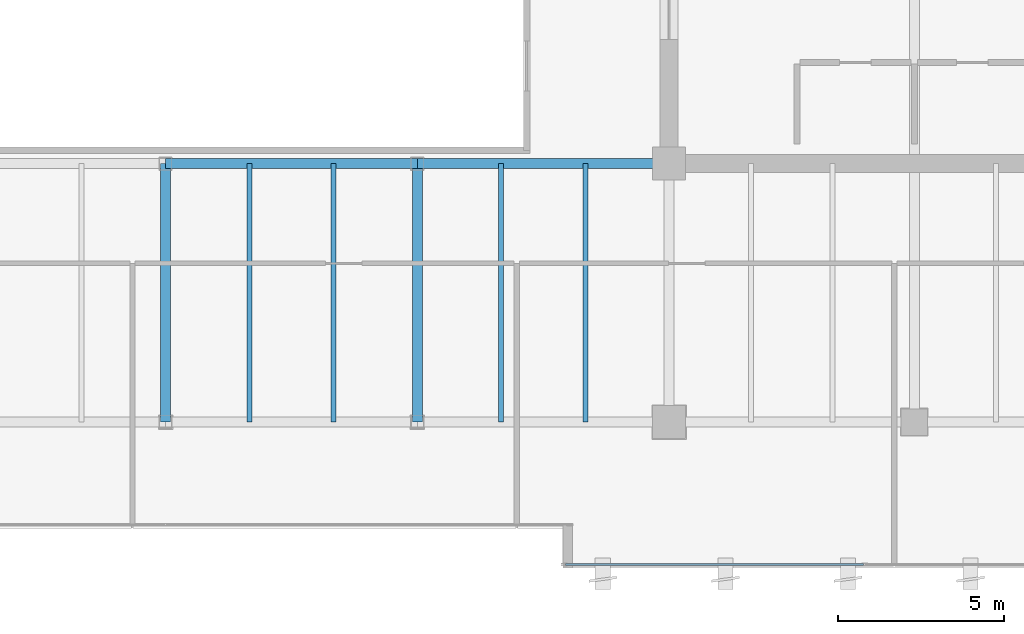
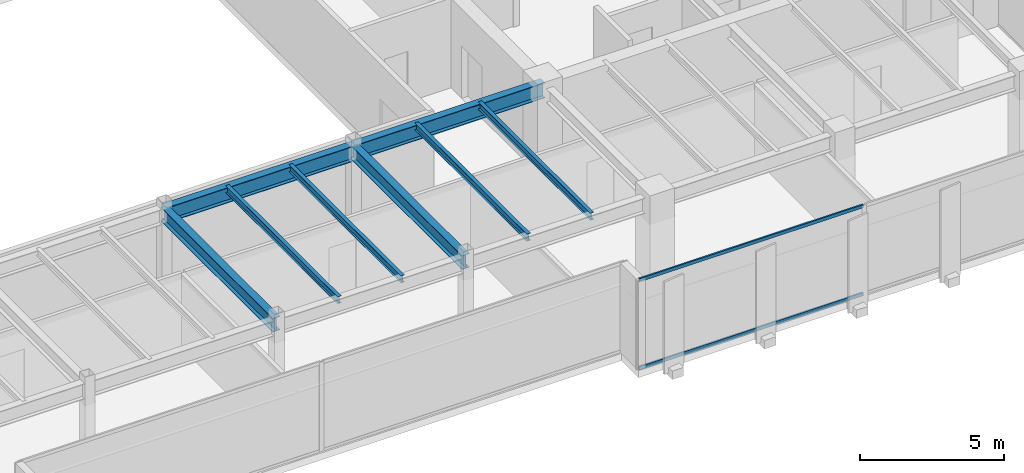
# One storey, part 12 of 36: 8 beams, 2 members, 1 element without a shape of its own.
"""IFC4 building model written with IfcOpenShell, lengths in metres."""

from ifc_helpers import new_model, si_unit, direction, frame, origin, origin_2d, place, context, subcontext, project, spatial, hollow_rectangle, i_section, extrude, source, transform, mapped, material, layer, layer_set, material_profile, profile_set, type_object, type_shapes, element, aggregate, save


model = new_model("IFC4")

# Units and contexts
model_context = context("Model", 3, precision=1e-05, world=origin(), true_north=direction((0.0, 1.0)))
body_context = subcontext(model_context, "Body", "Model", "MODEL_VIEW")
ifc_project = project(units=[si_unit("LENGTHUNIT", "METRE"), si_unit("AREAUNIT", "SQUARE_METRE"), si_unit("VOLUMEUNIT", "CUBIC_METRE"), si_unit("PLANEANGLEUNIT", "RADIAN"), si_unit("MASSUNIT", "GRAM", prefix="KILO")], contexts=[model_context])

# Site, building, storey
site_placement = place(None, origin())
site = spatial("IfcSite", under=ifc_project, at=site_placement, CompositionType="ELEMENT")
building_placement = place(site_placement, origin())
building = spatial("IfcBuilding", under=site, at=building_placement, Name="Haelvirn Gate Laboratories", CompositionType="ELEMENT")
storey_placement = place(building_placement, frame((0.0, 0.0, 242.39990234375)))
storey = spatial("IfcBuildingStorey", under=building, at=storey_placement, Name="L58", CompositionType="ELEMENT", Elevation=242.39990234375)

# Beams
ifc_material_1 = material(Name="Steel SM355", Category="steel")
ifc_material_profile_1 = material_profile(ifc_material_1, i_section(OverallWidth=0.14990234375, OverallDepth=0.300048828125, WebThickness=0.006591796875, FlangeThickness=0.009033203125, at=origin_2d()), Name="H-300x150x6.5x9")
ifc_profile_set_1 = profile_set([ifc_material_profile_1], Name="Steel SM355")
beam_type_1 = type_object("IfcBeamType", Name="BM-J-300", PredefinedType="JOIST", material=ifc_profile_set_1)
shared_shape_1 = source(origin(), body_context, "Body", "SweptSolid", [
    extrude(i_section(OverallWidth=0.14990234375, OverallDepth=0.300048828125, WebThickness=0.006591796875, FlangeThickness=0.009033203125, at=origin_2d()), origin(), (0.0, 0.0, 1.0), 7.800048828125),
])
type_shapes(beam_type_1, [shared_shape_1])
for number, where, z_axis, x_axis, name in (
    (1, (39.929931640625, 7.0, 3.650146484375), (0.0, 1.0, 0.0), (-1.0, 0.0, 0.0), "L58 Composite Lab Joist South X39.93"),
    (2, (42.469970703125, 7.0, 3.650146484375), (0.0, 1.0, 0.0), (-1.0, 0.0, 0.0), "L58 Composite Lab Joist South X42.47"),
    (3, (47.530029296875, 7.0, 3.650146484375), (0.0, 1.0, 0.0), (-1.0, 0.0, 0.0), "L58 Composite Lab Joist South X47.53"),
    (4, (50.070068359375, 7.0, 3.650146484375), (0.0, 1.0, 0.0), (-1.0, 0.0, 0.0), "L58 Composite Lab Joist South X50.07"),
):
    element("IfcBeam", number, at=place(storey_placement, frame(where, z_axis=z_axis, x_axis=x_axis)), inside=storey, type_object=beam_type_1, Name=name, PredefinedType="JOIST", context=body_context, shape_type="MappedRepresentation", body=[
        mapped(shared_shape_1, transform((0.0, 0.0, 0.0), scale=1.0)),
    ])
ifc_material_profile_2 = material_profile(ifc_material_1, i_section(OverallWidth=0.300048828125, OverallDepth=0.587890625, WebThickness=0.011962890625, FlangeThickness=0.02001953125, at=origin_2d()), Name="H-588x300x12x20")
ifc_profile_set_2 = profile_set([ifc_material_profile_2], Name="Steel SM355")
beam_type_2 = type_object("IfcBeamType", Name="BM-G-588", PredefinedType="BEAM", material=ifc_profile_set_2)
shared_shape_2 = source(origin(), body_context, "Body", "SweptSolid", [
    extrude(i_section(OverallWidth=0.300048828125, OverallDepth=0.587890625, WebThickness=0.011962890625, FlangeThickness=0.02001953125, at=origin_2d()), origin(), (0.0, 0.0, 1.0), 7.800048828125),
])
type_shapes(beam_type_2, [shared_shape_2])
for number, where, z_axis, x_axis, name in (
    (5, (37.39990234375, 7.0, 3.506103515625), (0.0, 1.0, 0.0), (-1.0, 0.0, 0.0), "L58 Frame Girder X37.4 (7.0-14.8)"),
    (6, (45.0, 7.0, 3.506103515625), (0.0, 1.0, 0.0), (-1.0, 0.0, 0.0), "L58 Frame Girder X45.0 (7.0-14.8)"),
):
    element("IfcBeam", number, at=place(storey_placement, frame(where, z_axis=z_axis, x_axis=x_axis)), inside=storey, type_object=beam_type_2, Name=name, PredefinedType="BEAM", context=body_context, shape_type="MappedRepresentation", body=[
        mapped(shared_shape_2, transform((0.0, 0.0, 0.0), scale=1.0)),
    ])
ifc_material_profile_3 = material_profile(ifc_material_1, i_section(OverallWidth=0.300048828125, OverallDepth=0.64990234375, WebThickness=0.012939453125, FlangeThickness=0.02197265625, at=origin_2d()), Name="H-650x300x13x22")
ifc_profile_set_3 = profile_set([ifc_material_profile_3], Name="Steel SM355")
beam_type_3 = type_object("IfcBeamType", Name="BM-G-650", PredefinedType="BEAM", material=ifc_profile_set_3)
shared_shape_3 = source(origin(), body_context, "Body", "SweptSolid", [
    extrude(i_section(OverallWidth=0.300048828125, OverallDepth=0.64990234375, WebThickness=0.012939453125, FlangeThickness=0.02197265625, at=origin_2d()), origin(), (0.0, 0.0, 1.0), 7.60009765625),
])
type_shapes(beam_type_3, [shared_shape_3])
for number, where, z_axis, x_axis, name in (
    (7, (37.39990234375, 14.800048828125, 3.47509765625), (1.0, 0.0, 0.0), (0.0, 1.0, 0.0), "L58 Primary Girder Y14.8 (37.4-45.0)"),
    (8, (45.0, 14.800048828125, 3.47509765625), (1.0, 0.0, 0.0), (0.0, 1.0, 0.0), "L58 Primary Girder Y14.8 (45.0-52.6)"),
):
    element("IfcBeam", number, at=place(storey_placement, frame(where, z_axis=z_axis, x_axis=x_axis)), inside=storey, type_object=beam_type_3, Name=name, PredefinedType="BEAM", context=body_context, shape_type="MappedRepresentation", body=[
        mapped(shared_shape_3, transform((0.0, 0.0, 0.0), scale=1.0)),
    ])

# Curtain wall, members
ifc_material_2 = material(Name="Anodised bronze unitised aluminium & triple low-E glass", Category="aluminium")
ifc_layer = layer(ifc_material_2, 0.176025390625, Name="CW-SYS-4")
ifc_layer_set = layer_set([ifc_layer], Name="Anodised bronze unitised aluminium & triple low-E glass")
curtain_wall_type = type_object("IfcCurtainWallType", Name="CW-SYS-4", PredefinedType="NOTDEFINED", material=ifc_layer_set)
curtain_wall_placement = place(storey_placement, origin())
curtain_wall = element("IfcCurtainWall", 9, at=curtain_wall_placement, inside=storey, type_object=curtain_wall_type, Name="L58 Unitised Curtain Wall CW-L58-P0-E04-1", PredefinedType="NOTDEFINED")
ifc_material_3 = material(Name="Extruded aluminium 6063-T6 (anodised bronze)", Category="aluminium")
ifc_material_profile_4 = material_profile(ifc_material_3, hollow_rectangle(XDim=0.06494140625, YDim=0.139892578125, WallThickness=0.00390625, at=origin_2d()), Name="CWT-140x65x4")
ifc_profile_set_4 = profile_set([ifc_material_profile_4], Name="Extruded aluminium 6063-T6 (anodised bronze)")
member_type = type_object("IfcMemberType", Name="CWT-T140", PredefinedType="USERDEFINED", material=ifc_profile_set_4)
shared_shape_4 = source(origin(), body_context, "Body", "SweptSolid", [
    extrude(hollow_rectangle(XDim=0.06494140625, YDim=0.139892578125, WallThickness=0.00390625, at=origin_2d()), origin(), (0.0, 0.0, 1.0), 8.9951171875),
])
type_shapes(member_type, [shared_shape_4])
member_1_placement = place(storey_placement, frame((49.469970703125, 2.699951171875, 0.03271484375), z_axis=(1.0, 0.0, 0.0), x_axis=(0.0, 1.0, 0.0)))
member_1 = element("IfcMember", 10, at=member_1_placement, type_object=member_type, Name="CW4 transom 1.1", ObjectType="TRANSOM", PredefinedType="USERDEFINED", context=body_context, shape_type="MappedRepresentation", body=[
    mapped(shared_shape_4, transform((0.0, 0.0, 0.0), scale=1.0)),
])
member_2_placement = place(storey_placement, frame((49.469970703125, 2.699951171875, 3.767578125), z_axis=(1.0, 0.0, 0.0), x_axis=(0.0, 1.0, 0.0)))
member_2 = element("IfcMember", 11, at=member_2_placement, type_object=member_type, Name="CW4 transom 1.2", ObjectType="TRANSOM", PredefinedType="USERDEFINED", context=body_context, shape_type="MappedRepresentation", body=[
    mapped(shared_shape_4, transform((0.0, 0.0, 0.0), scale=1.0)),
])
aggregate(curtain_wall, [member_1, member_2])

save(model, "model.ifc")
